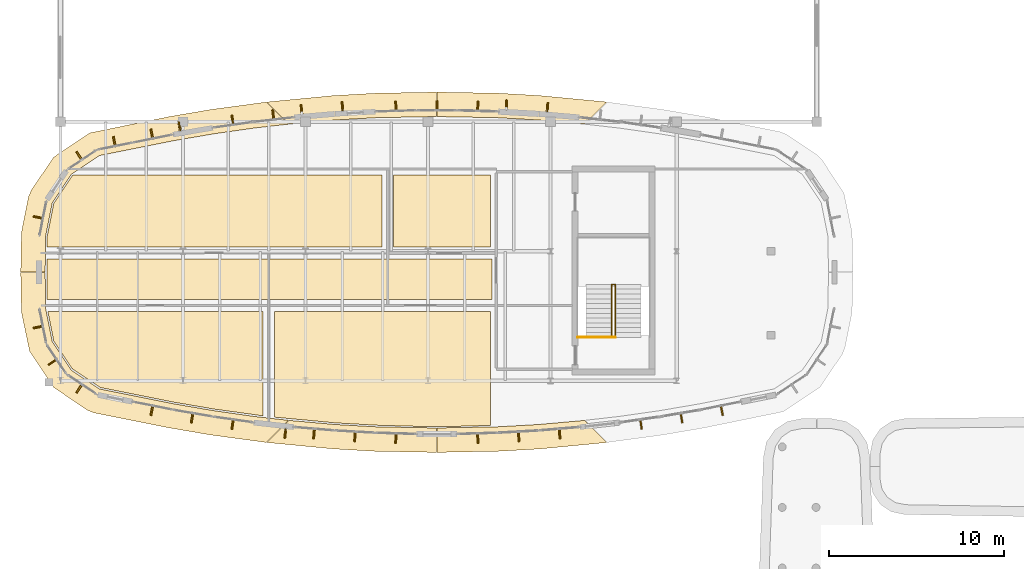
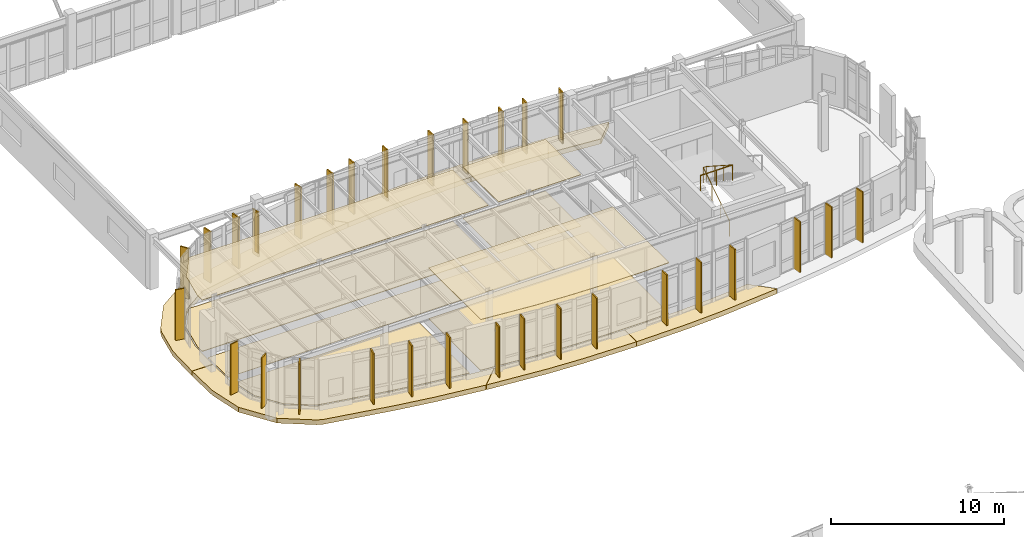
# One storey, part 104 of 111: 44 coverings, 6 shading devices, 2 railings.
"""IFC4 building model written with IfcOpenShell, lengths in metres."""

from ifc_helpers import new_model, si_unit, direction, frame, origin, origin_2d, place, context, subcontext, project, spatial, polyline, rectangle, circle, outline, extrude, material, layer, layer_set, type_object, element, save


model = new_model("IFC4")

# Units and contexts
model_context = context("Model", 3, precision=1e-05, world=origin(), true_north=direction((0.0, 1.0)))
body_context = subcontext(model_context, "Body", "Model", "MODEL_VIEW")
ifc_project = project(units=[si_unit("LENGTHUNIT", "METRE"), si_unit("AREAUNIT", "SQUARE_METRE"), si_unit("VOLUMEUNIT", "CUBIC_METRE"), si_unit("PLANEANGLEUNIT", "RADIAN"), si_unit("MASSUNIT", "GRAM", prefix="KILO")], contexts=[model_context])

# Site, building, storey
site_placement = place(None, origin())
site = spatial("IfcSite", under=ifc_project, at=site_placement, CompositionType="ELEMENT")
building_placement = place(site_placement, origin())
building = spatial("IfcBuilding", under=site, at=building_placement, Name="Corveleigh Park Community Centre", CompositionType="ELEMENT")
storey_placement = place(building_placement, frame((0.0, 0.0, 4.800048828125)))
storey = spatial("IfcBuildingStorey", under=building, at=storey_placement, Name="L01", CompositionType="ELEMENT", Elevation=4.800048828125)

# Coverings
ifc_material_1 = material(Name="Warm buff ribbed architectural cladding", Category="masonry")
ifc_layer_1 = layer(ifc_material_1, 0.0849609375, Name="Warm buff ribbed architectural cladding", Category="masonry")
ifc_layer_set_1 = layer_set([ifc_layer_1], Name="Warm buff ribbed architectural cladding")
covering_type_1 = type_object("IfcCoveringType", Name="COV-CLD-BUF", PredefinedType="CLADDING", material=ifc_layer_set_1)
covering_1_placement = place(storey_placement, origin())
element("IfcCovering", 1, at=covering_1_placement, inside=storey, type_object=covering_type_1, Name="V2 L01 Brise-soleil blade 159", PredefinedType="CLADDING", context=body_context, shape_type="SweptSolid", body=[
    extrude(outline(polyline([(16.51611328125, 76.58203125), (16.43310546875, 76.597900390625), (16.318115234375, 76.030029296875), (16.402099609375, 76.012939453125), (16.51611328125, 76.58203125)])), origin(), (0.0, 0.0, 1.0), 3.619873046875),
])
covering_2_placement = place(storey_placement, origin())
element("IfcCovering", 2, at=covering_2_placement, inside=storey, type_object=covering_type_1, Name="V2 L01 Brise-soleil blade 160", PredefinedType="CLADDING", context=body_context, shape_type="SweptSolid", body=[
    extrude(outline(polyline([(18.81103515625, 76.156005859375), (18.72705078125, 76.169921875), (18.6298828125, 75.597900390625), (18.714111328125, 75.583984375), (18.81103515625, 76.156005859375)])), origin(), (0.0, 0.0, 1.0), 3.619873046875),
])
covering_3_placement = place(storey_placement, origin())
element("IfcCovering", 3, at=covering_3_placement, inside=storey, type_object=covering_type_1, Name="V2 L01 Brise-soleil blade 161", PredefinedType="CLADDING", context=body_context, shape_type="SweptSolid", body=[
    extrude(outline(polyline([(21.115966796875, 75.794921875), (21.031982421875, 75.806884765625), (20.949951171875, 75.23291015625), (21.033935546875, 75.220947265625), (21.115966796875, 75.794921875)])), origin(), (0.0, 0.0, 1.0), 3.619873046875),
])
covering_4_placement = place(storey_placement, origin())
element("IfcCovering", 4, at=covering_4_placement, inside=storey, type_object=covering_type_1, Name="V2 L01 Brise-soleil blade 162", PredefinedType="CLADDING", context=body_context, shape_type="SweptSolid", body=[
    extrude(outline(polyline([(24.114990234375, 75.2548828125), (24.030029296875, 75.264892578125), (23.969970703125, 74.73291015625), (24.053955078125, 74.72412109375), (24.114990234375, 75.2548828125)])), origin(), (0.0, 0.0, 1.0), 3.619873046875),
])
covering_5_placement = place(storey_placement, origin())
element("IfcCovering", 5, at=covering_5_placement, inside=storey, type_object=covering_type_1, Name="V2 L01 Brise-soleil blade 163", PredefinedType="CLADDING", context=body_context, shape_type="SweptSolid", body=[
    extrude(outline(polyline([(25.751953125, 75.26904296875), (25.6669921875, 75.277099609375), (25.617919921875, 74.698974609375), (25.701904296875, 74.69091796875), (25.751953125, 75.26904296875)])), origin(), (0.0, 0.0, 1.0), 3.619873046875),
])
covering_6_placement = place(storey_placement, origin())
element("IfcCovering", 6, at=covering_6_placement, inside=storey, type_object=covering_type_1, Name="V2 L01 Brise-soleil blade 164", PredefinedType="CLADDING", context=body_context, shape_type="SweptSolid", body=[
    extrude(outline(polyline([(28.0791015625, 75.10595703125), (27.993896484375, 75.110107421875), (27.9609375, 74.531005859375), (28.0458984375, 74.527099609375), (28.0791015625, 75.10595703125)])), origin(), (0.0, 0.0, 1.0), 3.619873046875),
])
covering_7_placement = place(storey_placement, origin())
element("IfcCovering", 7, at=covering_7_placement, inside=storey, type_object=covering_type_1, Name="V2 L01 Brise-soleil blade 165", PredefinedType="CLADDING", context=body_context, shape_type="SweptSolid", body=[
    extrude(outline(polyline([(30.409912109375, 75.008056640625), (30.324951171875, 75.010009765625), (30.30810546875, 74.429931640625), (30.39306640625, 74.427978515625), (30.409912109375, 75.008056640625)])), origin(), (0.0, 0.0, 1.0), 3.619873046875),
])
covering_8_placement = place(storey_placement, origin())
element("IfcCovering", 8, at=covering_8_placement, inside=storey, type_object=covering_type_1, Name="V2 L01 Brise-soleil blade 166", PredefinedType="CLADDING", context=body_context, shape_type="SweptSolid", body=[
    extrude(outline(polyline([(35.074951171875, 75.010009765625), (34.989990234375, 75.008056640625), (35.007080078125, 74.427978515625), (35.092041015625, 74.429931640625), (35.074951171875, 75.010009765625)])), origin(), (0.0, 0.0, 1.0), 3.619873046875),
])
covering_9_placement = place(storey_placement, origin())
element("IfcCovering", 9, at=covering_9_placement, inside=storey, type_object=covering_type_1, Name="V2 L01 Brise-soleil blade 167", PredefinedType="CLADDING", context=body_context, shape_type="SweptSolid", body=[
    extrude(outline(polyline([(37.406005859375, 75.110107421875), (37.321044921875, 75.10595703125), (37.35400390625, 74.527099609375), (37.43896484375, 74.531005859375), (37.406005859375, 75.110107421875)])), origin(), (0.0, 0.0, 1.0), 3.619873046875),
])
covering_10_placement = place(storey_placement, origin())
element("IfcCovering", 10, at=covering_10_placement, inside=storey, type_object=covering_type_1, Name="V2 L01 Brise-soleil blade 168", PredefinedType="CLADDING", context=body_context, shape_type="SweptSolid", body=[
    extrude(outline(polyline([(39.73291015625, 75.277099609375), (39.64794921875, 75.26904296875), (39.697998046875, 74.69091796875), (39.781982421875, 74.698974609375), (39.73291015625, 75.277099609375)])), origin(), (0.0, 0.0, 1.0), 3.619873046875),
])
covering_11_placement = place(storey_placement, origin())
element("IfcCovering", 11, at=covering_11_placement, inside=storey, type_object=covering_type_1, Name="V2 L01 Brise-soleil blade 169", PredefinedType="CLADDING", context=body_context, shape_type="SweptSolid", body=[
    extrude(outline(polyline([(44.367919921875, 75.806884765625), (44.283935546875, 75.794921875), (44.365966796875, 75.220947265625), (44.449951171875, 75.23291015625), (44.367919921875, 75.806884765625)])), origin(), (0.0, 0.0, 1.0), 3.619873046875),
])
covering_12_placement = place(storey_placement, origin())
element("IfcCovering", 12, at=covering_12_placement, inside=storey, type_object=covering_type_1, Name="V2 L01 Brise-soleil blade 170", PredefinedType="CLADDING", context=body_context, shape_type="SweptSolid", body=[
    extrude(outline(polyline([(46.673095703125, 76.169921875), (46.589111328125, 76.156005859375), (46.68603515625, 75.583984375), (46.77001953125, 75.597900390625), (46.673095703125, 76.169921875)])), origin(), (0.0, 0.0, 1.0), 3.619873046875),
])
covering_13_placement = place(storey_placement, origin())
element("IfcCovering", 13, at=covering_13_placement, inside=storey, type_object=covering_type_1, Name="V2 L01 Brise-soleil blade 171", PredefinedType="CLADDING", context=body_context, shape_type="SweptSolid", body=[
    extrude(outline(polyline([(48.967041015625, 76.597900390625), (48.884033203125, 76.58203125), (48.998046875, 76.012939453125), (49.08203125, 76.030029296875), (48.967041015625, 76.597900390625)])), origin(), (0.0, 0.0, 1.0), 3.619873046875),
])
covering_14_placement = place(storey_placement, origin())
element("IfcCovering", 14, at=covering_14_placement, inside=storey, type_object=covering_type_1, Name="V2 L01 Brise-soleil blade 182", PredefinedType="CLADDING", context=body_context, shape_type="SweptSolid", body=[
    extrude(outline(polyline([(38.95703125, 93.35498046875), (39.0419921875, 93.347900390625), (39.0869140625, 93.881103515625), (39.0029296875, 93.887939453125), (38.95703125, 93.35498046875)])), origin(), (0.0, 0.0, 1.0), 3.656982421875),
])
covering_15_placement = place(storey_placement, origin())
element("IfcCovering", 15, at=covering_15_placement, inside=storey, type_object=covering_type_1, Name="V2 L01 Brise-soleil blade 183", PredefinedType="CLADDING", context=body_context, shape_type="SweptSolid", body=[
    extrude(outline(polyline([(36.6240234375, 93.509033203125), (36.708984375, 93.50390625), (36.739013671875, 94.0380859375), (36.655029296875, 94.04296875), (36.6240234375, 93.509033203125)])), origin(), (0.0, 0.0, 1.0), 3.656982421875),
])
covering_16_placement = place(storey_placement, origin())
element("IfcCovering", 16, at=covering_16_placement, inside=storey, type_object=covering_type_1, Name="V2 L01 Brise-soleil blade 184", PredefinedType="CLADDING", context=body_context, shape_type="SweptSolid", body=[
    extrude(outline(polyline([(34.989990234375, 93.39208984375), (35.074951171875, 93.389892578125), (35.092041015625, 93.969970703125), (35.007080078125, 93.971923828125), (34.989990234375, 93.39208984375)])), origin(), (0.0, 0.0, 1.0), 3.656982421875),
])
covering_17_placement = place(storey_placement, origin())
element("IfcCovering", 17, at=covering_17_placement, inside=storey, type_object=covering_type_1, Name="V2 L01 Brise-soleil blade 185", PredefinedType="CLADDING", context=body_context, shape_type="SweptSolid", body=[
    extrude(outline(polyline([(32.657958984375, 93.424072265625), (32.741943359375, 93.424072265625), (32.741943359375, 94.00390625), (32.657958984375, 94.00390625), (32.657958984375, 93.424072265625)])), origin(), (0.0, 0.0, 1.0), 3.656982421875),
])
covering_18_placement = place(storey_placement, origin())
element("IfcCovering", 18, at=covering_18_placement, inside=storey, type_object=covering_type_1, Name="V2 L01 Brise-soleil blade 186", PredefinedType="CLADDING", context=body_context, shape_type="SweptSolid", body=[
    extrude(outline(polyline([(30.324951171875, 93.389892578125), (30.409912109375, 93.39208984375), (30.39306640625, 93.971923828125), (30.30810546875, 93.969970703125), (30.324951171875, 93.389892578125)])), origin(), (0.0, 0.0, 1.0), 3.656982421875),
])
covering_19_placement = place(storey_placement, origin())
element("IfcCovering", 19, at=covering_19_placement, inside=storey, type_object=covering_type_1, Name="V2 L01 Brise-soleil blade 187", PredefinedType="CLADDING", context=body_context, shape_type="SweptSolid", body=[
    extrude(outline(polyline([(27.278076171875, 93.405029296875), (27.363037109375, 93.408935546875), (27.3330078125, 93.943115234375), (27.248046875, 93.93896484375), (27.278076171875, 93.405029296875)])), origin(), (0.0, 0.0, 1.0), 3.656982421875),
])
covering_20_placement = place(storey_placement, origin())
element("IfcCovering", 20, at=covering_20_placement, inside=storey, type_object=covering_type_1, Name="V2 L01 Brise-soleil blade 188", PredefinedType="CLADDING", context=body_context, shape_type="SweptSolid", body=[
    extrude(outline(polyline([(24.947998046875, 93.22802734375), (25.032958984375, 93.235107421875), (24.987060546875, 93.76806640625), (24.903076171875, 93.760986328125), (24.947998046875, 93.22802734375)])), origin(), (0.0, 0.0, 1.0), 3.656982421875),
])
covering_21_placement = place(storey_placement, origin())
element("IfcCovering", 21, at=covering_21_placement, inside=storey, type_object=covering_type_1, Name="V2 L01 Brise-soleil blade 189", PredefinedType="CLADDING", context=body_context, shape_type="SweptSolid", body=[
    extrude(outline(polyline([(23.345947265625, 92.89111328125), (23.429931640625, 92.90087890625), (23.364013671875, 93.47705078125), (23.280029296875, 93.468017578125), (23.345947265625, 92.89111328125)])), origin(), (0.0, 0.0, 1.0), 3.656982421875),
])
covering_22_placement = place(storey_placement, origin())
element("IfcCovering", 22, at=covering_22_placement, inside=storey, type_object=covering_type_1, Name="V2 L01 Brise-soleil blade 190", PredefinedType="CLADDING", context=body_context, shape_type="SweptSolid", body=[
    extrude(outline(polyline([(21.031982421875, 92.593017578125), (21.115966796875, 92.60498046875), (21.033935546875, 93.178955078125), (20.949951171875, 93.1669921875), (21.031982421875, 92.593017578125)])), origin(), (0.0, 0.0, 1.0), 3.656982421875),
])
covering_23_placement = place(storey_placement, origin())
element("IfcCovering", 23, at=covering_23_placement, inside=storey, type_object=covering_type_1, Name="V2 L01 Brise-soleil blade 191", PredefinedType="CLADDING", context=body_context, shape_type="SweptSolid", body=[
    extrude(outline(polyline([(18.00390625, 92.263916015625), (18.087890625, 92.278076171875), (17.998046875, 92.804931640625), (17.9140625, 92.791015625), (18.00390625, 92.263916015625)])), origin(), (0.0, 0.0, 1.0), 3.18798828125),
])
covering_24_placement = place(storey_placement, origin())
element("IfcCovering", 24, at=covering_24_placement, inside=storey, type_object=covering_type_1, Name="V2 L01 Brise-soleil blade 192", PredefinedType="CLADDING", context=body_context, shape_type="SweptSolid", body=[
    extrude(outline(polyline([(16.43310546875, 91.802001953125), (16.51611328125, 91.818115234375), (16.402099609375, 92.386962890625), (16.318115234375, 92.3701171875), (16.43310546875, 91.802001953125)])), origin(), (0.0, 0.0, 1.0), 3.656982421875),
])
covering_25_placement = place(storey_placement, origin())
element("IfcCovering", 25, at=covering_25_placement, inside=storey, type_object=covering_type_1, Name="V2 L01 Brise-soleil blade 193", PredefinedType="CLADDING", context=body_context, shape_type="SweptSolid", body=[
    extrude(outline(polyline([(14.2900390625, 91.373046875), (14.373046875, 91.389892578125), (14.260009765625, 91.958984375), (14.176025390625, 91.94189453125), (14.2900390625, 91.373046875)])), origin(), (0.0, 0.0, 1.0), 3.656982421875),
])
covering_26_placement = place(storey_placement, origin())
element("IfcCovering", 26, at=covering_26_placement, inside=storey, type_object=covering_type_1, Name="V2 L01 Brise-soleil blade 194", PredefinedType="CLADDING", context=body_context, shape_type="SweptSolid", body=[
    extrude(outline(polyline([(12.40087890625, 90.575927734375), (12.470947265625, 90.623046875), (12.14892578125, 91.10595703125), (12.0791015625, 91.05908203125), (12.40087890625, 90.575927734375)])), origin(), (0.0, 0.0, 1.0), 3.612060546875),
])
covering_27_placement = place(storey_placement, origin())
element("IfcCovering", 27, at=covering_27_placement, inside=storey, type_object=covering_type_1, Name="V2 L01 Brise-soleil blade 195", PredefinedType="CLADDING", context=body_context, shape_type="SweptSolid", body=[
    extrude(outline(polyline([(10.2119140625, 87.236083984375), (10.22900390625, 87.319091796875), (9.659912109375, 87.431884765625), (9.64404296875, 87.34912109375), (10.2119140625, 87.236083984375)])), origin(), (0.0, 0.0, 1.0), 3.612060546875),
])
covering_28_placement = place(storey_placement, origin())
element("IfcCovering", 28, at=covering_28_placement, inside=storey, type_object=covering_type_1, Name="V2 L01 Brise-soleil blade 196", PredefinedType="CLADDING", context=body_context, shape_type="SweptSolid", body=[
    extrude(outline(polyline([(10.22900390625, 81.0810546875), (10.2119140625, 81.1640625), (9.64404296875, 81.051025390625), (9.659912109375, 80.968017578125), (10.22900390625, 81.0810546875)])), origin(), (0.0, 0.0, 1.0), 3.619873046875),
])
covering_29_placement = place(storey_placement, origin())
element("IfcCovering", 29, at=covering_29_placement, inside=storey, type_object=covering_type_1, Name="V2 L01 Brise-soleil blade 197", PredefinedType="CLADDING", context=body_context, shape_type="SweptSolid", body=[
    extrude(outline(polyline([(11.02392578125, 79.200927734375), (10.97705078125, 79.27099609375), (10.493896484375, 78.948974609375), (10.541015625, 78.87890625), (11.02392578125, 79.200927734375)])), origin(), (0.0, 0.0, 1.0), 3.619873046875),
])
covering_30_placement = place(storey_placement, origin())
element("IfcCovering", 30, at=covering_30_placement, inside=storey, type_object=covering_type_1, Name="V2 L01 Brise-soleil blade 198", PredefinedType="CLADDING", context=body_context, shape_type="SweptSolid", body=[
    extrude(outline(polyline([(12.470947265625, 77.777099609375), (12.40087890625, 77.823974609375), (12.0791015625, 77.341064453125), (12.14892578125, 77.2939453125), (12.470947265625, 77.777099609375)])), origin(), (0.0, 0.0, 1.0), 3.619873046875),
])
ifc_material_2 = material(Name="White architectural fascia cladding", Category="masonry")
ifc_layer_2 = layer(ifc_material_2, 0.074951171875, Name="White architectural fascia cladding", Category="masonry")
ifc_layer_set_2 = layer_set([ifc_layer_2], Name="White architectural fascia cladding")
covering_type_2 = type_object("IfcCoveringType", Name="COV-CLD-WHT", PredefinedType="CLADDING", material=ifc_layer_set_2)
covering_31_placement = place(storey_placement, frame((0.0, 0.0, -0.300048828125)))
element("IfcCovering", 31, at=covering_31_placement, inside=storey, type_object=covering_type_2, Name="V2 L01 Horizontal Sun-Hood 2", PredefinedType="CLADDING", context=body_context, shape_type="SweptSolid", body=[
    extrude(outline(polyline([(32.705078125, 94.493896484375), (36.22998046875, 94.427978515625), (38.589111328125, 94.2939453125), (42.4169921875, 93.927001953125), (41.153076171875, 92.662109375), (38.5048828125, 92.89697265625), (36.18505859375, 93.028076171875), (32.7041015625, 93.093994140625), (32.705078125, 94.493896484375)])), origin(), (0.0, 0.0, 1.0), 0.340087890625),
])
covering_32_placement = place(storey_placement, frame((0.0, 0.0, -0.300048828125)))
element("IfcCovering", 32, at=covering_32_placement, inside=storey, type_object=covering_type_2, Name="V2 L01 Horizontal Sun-Hood 3", PredefinedType="CLADDING", context=body_context, shape_type="SweptSolid", body=[
    extrude(outline(polyline([(22.98291015625, 93.927001953125), (26.781005859375, 94.2919921875), (29.14111328125, 94.426025390625), (32.695068359375, 94.493896484375), (32.696044921875, 93.093994140625), (29.215087890625, 93.028076171875), (26.89501953125, 92.89697265625), (24.2470703125, 92.662109375), (22.98291015625, 93.927001953125)])), origin(), (0.0, 0.0, 1.0), 0.340087890625),
])
covering_33_placement = place(storey_placement, frame((0.0, 0.0, -0.300048828125)))
element("IfcCovering", 33, at=covering_33_placement, inside=storey, type_object=covering_type_2, Name="V2 L01 Horizontal Sun-Hood 4", PredefinedType="CLADDING", context=body_context, shape_type="SweptSolid", body=[
    extrude(outline(polyline([(8.927001953125, 84.2119140625), (8.969970703125, 86.47705078125), (9.3759765625, 88.51611328125), (9.532958984375, 88.89404296875), (10.819091796875, 90.781005859375), (12.886962890625, 92.1640625), (17.43896484375, 93.094970703125), (19.76806640625, 93.492919921875), (22.965087890625, 93.925048828125), (24.23095703125, 92.659912109375), (22.27099609375, 92.43701171875), (19.969970703125, 92.10791015625), (17.679931640625, 91.716064453125), (13.426025390625, 90.864013671875), (11.81298828125, 89.787109375), (10.736083984375, 88.174072265625), (10.34912109375, 86.235107421875), (10.326904296875, 84.2109375), (8.927001953125, 84.2119140625)])), origin(), (0.0, 0.0, 1.0), 0.340087890625),
])
covering_34_placement = place(storey_placement, frame((0.0, 0.0, -0.300048828125)))
element("IfcCovering", 34, at=covering_34_placement, inside=storey, type_object=covering_type_2, Name="V2 L01 Horizontal Sun-Hood 5", PredefinedType="CLADDING", context=body_context, shape_type="SweptSolid", body=[
    extrude(outline(polyline([(12.7060546875, 76.3330078125), (10.819091796875, 77.618896484375), (9.43603515625, 79.68701171875), (8.969970703125, 81.923095703125), (8.927001953125, 84.18798828125), (10.326904296875, 84.18896484375), (10.34912109375, 82.1650390625), (10.736083984375, 80.22607421875), (11.81298828125, 78.613037109375), (13.426025390625, 77.535888671875), (17.679931640625, 76.68408203125), (19.969970703125, 76.2919921875), (22.27099609375, 75.962890625), (24.23095703125, 75.739990234375), (22.965087890625, 74.47509765625), (19.76806640625, 74.906982421875), (17.43896484375, 75.304931640625), (13.083984375, 76.176025390625), (12.7060546875, 76.3330078125)])), origin(), (0.0, 0.0, 1.0), 0.340087890625),
])
covering_35_placement = place(storey_placement, frame((0.0, 0.0, -0.300048828125)))
element("IfcCovering", 35, at=covering_35_placement, inside=storey, type_object=covering_type_2, Name="V2 L01 Horizontal Sun-Hood 6", PredefinedType="CLADDING", context=body_context, shape_type="SweptSolid", body=[
    extrude(outline(polyline([(32.695068359375, 73.906005859375), (29.169921875, 73.971923828125), (26.81103515625, 74.10595703125), (22.98291015625, 74.472900390625), (24.2470703125, 75.738037109375), (26.89501953125, 75.5029296875), (29.215087890625, 75.3720703125), (32.696044921875, 75.305908203125), (32.695068359375, 73.906005859375)])), origin(), (0.0, 0.0, 1.0), 0.340087890625),
])
covering_36_placement = place(storey_placement, frame((0.0, 0.0, -0.300048828125)))
element("IfcCovering", 36, at=covering_36_placement, inside=storey, type_object=covering_type_2, Name="V2 L01 Horizontal Sun-Hood 7", PredefinedType="CLADDING", context=body_context, shape_type="SweptSolid", body=[
    extrude(outline(polyline([(42.4169921875, 74.472900390625), (38.618896484375, 74.10791015625), (36.259033203125, 73.97412109375), (32.705078125, 73.906005859375), (32.7041015625, 75.305908203125), (36.18505859375, 75.3720703125), (38.5048828125, 75.5029296875), (41.153076171875, 75.738037109375), (42.4169921875, 74.472900390625)])), origin(), (0.0, 0.0, 1.0), 0.340087890625),
])
ifc_material_3 = material(Name="Perforated acoustic suspended ceiling", Category="gypsum")
ifc_layer_3 = layer(ifc_material_3, 0.0400390625, Name="Perforated acoustic suspended ceiling", Category="gypsum")
ifc_layer_set_3 = layer_set([ifc_layer_3], Name="Perforated acoustic suspended ceiling")
covering_type_3 = type_object("IfcCoveringType", Name="COV-CLG-ACU", PredefinedType="CEILING", material=ifc_layer_set_3)
covering_37_placement = place(storey_placement, frame((0.0, 0.0, 3.587890625)))
element("IfcCovering", 37, at=covering_37_placement, inside=storey, type_object=covering_type_3, Name="Sprung Dance Studio 1 acoustic ceiling", PredefinedType="CEILING", context=body_context, shape_type="SweptSolid", body=[
    extrude(outline(polyline([(29.218994140625, 75.4619140625), (26.90087890625, 75.593017578125), (23.43994140625, 75.9208984375), (23.43994140625, 81.9599609375), (35.760009765625, 81.9599609375), (35.760009765625, 75.449951171875), (33.861083984375, 75.39599609375), (31.5390625, 75.39599609375), (29.218994140625, 75.4619140625)])), origin(), (0.0, 0.0, 1.0), 0.0400390625),
])
covering_38_placement = place(storey_placement, frame((0.0, 0.0, 3.625)))
element("IfcCovering", 38, at=covering_38_placement, inside=storey, type_object=covering_type_3, Name="Sprung Movement Studio 2 acoustic ceiling", PredefinedType="CEILING", context=body_context, shape_type="SweptSolid", body=[
    extrude(outline(polyline([(29.56005859375, 89.760009765625), (29.56005859375, 85.639892578125), (10.429931640625, 85.639892578125), (10.43896484375, 86.22509765625), (10.820068359375, 88.138916015625), (11.8779296875, 89.721923828125), (11.93505859375, 89.760009765625), (29.56005859375, 89.760009765625)])), origin(), (0.0, 0.0, 1.0), 0.0400390625),
])
covering_39_placement = place(storey_placement, frame((0.0, 0.0, 3.625)))
element("IfcCovering", 39, at=covering_39_placement, inside=storey, type_object=covering_type_3, Name="Studio Accessible Toilets L01 acoustic ceiling", PredefinedType="CEILING", context=body_context, shape_type="SweptSolid", body=[
    extrude(outline(polyline([(35.760009765625, 85.639892578125), (30.239990234375, 85.639892578125), (30.239990234375, 89.760009765625), (35.760009765625, 89.760009765625), (35.760009765625, 85.639892578125)])), origin(), (0.0, 0.0, 1.0), 0.0400390625),
])
ifc_material_4 = material(Name="Acoustic linoleum flooring", Category="wood")
ifc_layer_4 = layer(ifc_material_4, 0.02490234375, Name="Acoustic linoleum flooring", Category="wood")
ifc_layer_set_4 = layer_set([ifc_layer_4], Name="Acoustic linoleum flooring")
covering_type_4 = type_object("IfcCoveringType", Name="COV-FLR-LIN", PredefinedType="FLOORING", material=ifc_layer_set_4)
covering_40_placement = place(storey_placement, origin())
element("IfcCovering", 40, at=covering_40_placement, inside=storey, type_object=covering_type_4, Name="Studio Mezzanine Corridor flooring", PredefinedType="FLOORING", context=body_context, shape_type="SweptSolid", body=[
    extrude(outline(polyline([(10.431884765625, 82.639892578125), (10.41796875, 84.9599609375), (35.85009765625, 84.9599609375), (35.85009765625, 82.639892578125), (10.431884765625, 82.639892578125)])), origin(), (0.0, 0.0, 1.0), 0.02490234375),
])
covering_41_placement = place(storey_placement, origin())
element("IfcCovering", 41, at=covering_41_placement, inside=storey, type_object=covering_type_4, Name="Studio Accessible Toilets L01 flooring", PredefinedType="FLOORING", context=body_context, shape_type="SweptSolid", body=[
    extrude(outline(polyline([(35.760009765625, 85.639892578125), (30.239990234375, 85.639892578125), (30.239990234375, 89.760009765625), (35.760009765625, 89.760009765625), (35.760009765625, 85.639892578125)])), origin(), (0.0, 0.0, 1.0), 0.02490234375),
])
ifc_material_5 = material(Name="Sprung hardwood sports flooring", Category="wood")
ifc_layer_5 = layer(ifc_material_5, 0.044921875, Name="Sprung hardwood sports flooring", Category="wood")
ifc_layer_set_5 = layer_set([ifc_layer_5], Name="Sprung hardwood sports flooring")
covering_type_5 = type_object("IfcCoveringType", Name="COV-FLR-SPR", PredefinedType="FLOORING", material=ifc_layer_set_5)
covering_42_placement = place(storey_placement, origin())
element("IfcCovering", 42, at=covering_42_placement, inside=storey, type_object=covering_type_5, Name="Community Fitness Suite flooring", PredefinedType="FLOORING", context=body_context, shape_type="SweptSolid", body=[
    extrude(outline(polyline([(22.760009765625, 75.998046875), (19.98388671875, 76.381103515625), (17.697021484375, 76.77294921875), (13.4609375, 77.6201171875), (11.8779296875, 78.677978515625), (10.820068359375, 80.260986328125), (10.48193359375, 81.9599609375), (22.760009765625, 81.9599609375), (22.760009765625, 75.998046875)])), origin(), (0.0, 0.0, 1.0), 0.044921875),
])
covering_43_placement = place(storey_placement, origin())
element("IfcCovering", 43, at=covering_43_placement, inside=storey, type_object=covering_type_5, Name="Sprung Dance Studio 1 flooring", PredefinedType="FLOORING", context=body_context, shape_type="SweptSolid", body=[
    extrude(outline(polyline([(29.218994140625, 75.4619140625), (26.90087890625, 75.593017578125), (23.43994140625, 75.9208984375), (23.43994140625, 81.9599609375), (35.760009765625, 81.9599609375), (35.760009765625, 75.449951171875), (33.861083984375, 75.39599609375), (31.5390625, 75.39599609375), (29.218994140625, 75.4619140625)])), origin(), (0.0, 0.0, 1.0), 0.044921875),
])
covering_44_placement = place(storey_placement, origin())
element("IfcCovering", 44, at=covering_44_placement, inside=storey, type_object=covering_type_5, Name="Sprung Movement Studio 2 flooring", PredefinedType="FLOORING", context=body_context, shape_type="SweptSolid", body=[
    extrude(outline(polyline([(29.56005859375, 89.760009765625), (29.56005859375, 85.639892578125), (10.429931640625, 85.639892578125), (10.43896484375, 86.22509765625), (10.820068359375, 88.138916015625), (11.8779296875, 89.721923828125), (11.93505859375, 89.760009765625), (29.56005859375, 89.760009765625)])), origin(), (0.0, 0.0, 1.0), 0.044921875),
])

# Railings
ifc_material_6 = material(Name="Stainless steel 316 balustrade", Category="steel")
railing_type = type_object("IfcRailingType", Name="RLG-BAL-INT-1100", PredefinedType="BALUSTRADE", material=ifc_material_6)
railing_1_placement = place(storey_placement, frame((42.699951171875, 80.47998046875, 0.0)))
element("IfcRailing", 45, at=railing_1_placement, inside=storey, type_object=railing_type, Name="Stair ST3 inner guard L01", PredefinedType="BALUSTRADE", context=body_context, shape_type="SweptSolid", body=[
    extrude(circle(Radius=0.02392578125, at=origin_2d()), frame((0.0, 0.0, 1.076171875), z_axis=(0.0, 0.840498953926, 0.541813167475), x_axis=(-1.0, 0.0, 0.0)), (0.0, 0.0, 1.0), 3.598876953125),
    extrude(circle(Radius=0.02392578125, at=origin_2d()), frame((0.0, 3.02490234375, 3.02587890625), z_axis=(1.0, 0.0, 0.0), x_axis=(0.0, 1.0, 0.0)), (0.0, 0.0, 1.0), 0.199951171875),
    extrude(circle(Radius=0.02392578125, at=origin_2d()), frame((0.199951171875, 3.02490234375, 3.02587890625), z_axis=(0.0, -0.840498953926, 0.541813167475), x_axis=(1.0, 0.0, 0.0)), (0.0, 0.0, 1.0), 3.598876953125),
    extrude(circle(Radius=0.02099609375, at=origin_2d()), origin(), (0.0, 0.0, 1.0), 1.052001953125),
    extrude(circle(Radius=0.02099609375, at=origin_2d()), frame((0.0, 1.00830078125, 0.64990234375)), (0.0, 0.0, 1.0), 1.052001953125),
    extrude(circle(Radius=0.02099609375, at=origin_2d()), frame((0.0, 2.0166015625, 1.300048828125)), (0.0, 0.0, 1.0), 1.052001953125),
    extrude(circle(Radius=0.02099609375, at=origin_2d()), frame((0.0, 3.02490234375, 1.949951171875)), (0.0, 0.0, 1.0), 1.052001953125),
    extrude(circle(Radius=0.02099609375, at=origin_2d()), frame((0.199951171875, 3.02490234375, 1.949951171875)), (0.0, 0.0, 1.0), 1.052001953125),
    extrude(circle(Radius=0.02099609375, at=origin_2d()), frame((0.199951171875, 2.0166015625, 2.599853515625)), (0.0, 0.0, 1.0), 1.052001953125),
    extrude(circle(Radius=0.02099609375, at=origin_2d()), frame((0.199951171875, 1.00830078125, 3.25)), (0.0, 0.0, 1.0), 1.052001953125),
    extrude(circle(Radius=0.02099609375, at=origin_2d()), frame((0.199951171875, 0.0, 3.89990234375)), (0.0, 0.0, 1.0), 1.052001953125),
])
railing_2_placement = place(storey_placement, frame((40.7548828125, 80.47998046875, 3.89990234375)))
element("IfcRailing", 46, at=railing_2_placement, inside=storey, type_object=railing_type, Name="Stair ST3 landing guard L01", PredefinedType="BALUSTRADE", context=body_context, shape_type="SweptSolid", body=[
    extrude(circle(Radius=0.02392578125, at=origin_2d()), frame((0.0, 0.0, 1.076171875), z_axis=(1.0, 0.0, 0.0), x_axis=(0.0, 1.0, 0.0)), (0.0, 0.0, 1.0), 2.14501953125),
    extrude(circle(Radius=0.02099609375, at=origin_2d()), origin(), (0.0, 0.0, 1.0), 1.052001953125),
    extrude(circle(Radius=0.02099609375, at=origin_2d()), frame((1.072509765625, 0.0, 0.0)), (0.0, 0.0, 1.0), 1.052001953125),
    extrude(circle(Radius=0.02099609375, at=origin_2d()), frame((2.14501953125, 0.0, 0.0)), (0.0, 0.0, 1.0), 1.052001953125),
])

# Shading devices
ifc_material_7 = material(Name="Terracotta-anodised aluminium fin", Category="masonry")
shading_device_type_1 = type_object("IfcShadingDeviceType", Name="SHD-FIN-TER-350", PredefinedType="USERDEFINED", material=ifc_material_7)
shading_device_1_placement = place(storey_placement, frame((24.051025390625, 75.071044921875, 0.25), z_axis=(0.0, 0.0, 1.0), x_axis=(-0.113132523128, -0.99357990731, 0.0)))
element("IfcShadingDevice", 47, at=shading_device_1_placement, inside=storey, type_object=shading_device_type_1, Name="Terracotta brise-soleil fin 27", ObjectType="FIN", PredefinedType="USERDEFINED", context=body_context, shape_type="SweptSolid", body=[
    extrude(rectangle(XDim=0.35009765625, YDim=0.06005859375, at=origin_2d()), origin(), (0.0, 0.0, 1.0), 3.219970703125),
])
for number, where, z_axis, x_axis, name in (
    (48, (39.01611328125, 93.541015625, 0.25), (0.0, 0.0, 1.0), (0.084653854486, 0.996410419918, 0.0), "Terracotta brise-soleil fin 29"),
    (49, (27.31005859375, 93.596923828125, 0.25), (0.0, 0.0, 1.0), (-0.056139697262, 0.998422923611, 0.0), "Terracotta brise-soleil fin 31"),
):
    element("IfcShadingDevice", number, at=place(storey_placement, frame(where, z_axis=z_axis, x_axis=x_axis)), inside=storey, type_object=shading_device_type_1, Name=name, ObjectType="FIN", PredefinedType="USERDEFINED", context=body_context, shape_type="SweptSolid", body=[
        extrude(rectangle(XDim=0.35009765625, YDim=0.06005859375, at=origin_2d()), origin(), (0.0, 0.0, 1.0), 3.257080078125),
    ])
shading_device_2_placement = place(storey_placement, frame((18.013916015625, 92.4580078125, 0.25), z_axis=(0.0, 0.0, 1.0), x_axis=(-0.16846025177, 0.985708447551, 0.0)))
element("IfcShadingDevice", 50, at=shading_device_2_placement, inside=storey, type_object=shading_device_type_1, Name="Terracotta brise-soleil fin 33", ObjectType="FIN", PredefinedType="USERDEFINED", context=body_context, shape_type="SweptSolid", body=[
    extrude(rectangle(XDim=0.35009765625, YDim=0.06005859375, at=origin_2d()), origin(), (0.0, 0.0, 1.0), 2.7880859375),
])
shading_device_type_2 = type_object("IfcShadingDeviceType", Name="SHD-FIN-TER-450", PredefinedType="USERDEFINED", material=ifc_material_7)
for number, where, z_axis, x_axis, name in (
    (51, (36.677978515625, 93.696044921875, 0.25), (0.0, 0.0, 1.0), (0.056139697262, 0.998422923611, 0.0), "Terracotta brise-soleil fin 30"),
    (52, (24.97412109375, 93.4208984375, 0.25), (0.0, 0.0, 1.0), (-0.084653854486, 0.996410419918, 0.0), "Terracotta brise-soleil fin 32"),
):
    element("IfcShadingDevice", number, at=place(storey_placement, frame(where, z_axis=z_axis, x_axis=x_axis)), inside=storey, type_object=shading_device_type_2, Name=name, ObjectType="FIN", PredefinedType="USERDEFINED", context=body_context, shape_type="SweptSolid", body=[
        extrude(rectangle(XDim=0.449951171875, YDim=0.06494140625, at=origin_2d()), origin(), (0.0, 0.0, 1.0), 3.257080078125),
    ])

save(model, "model.ifc")
